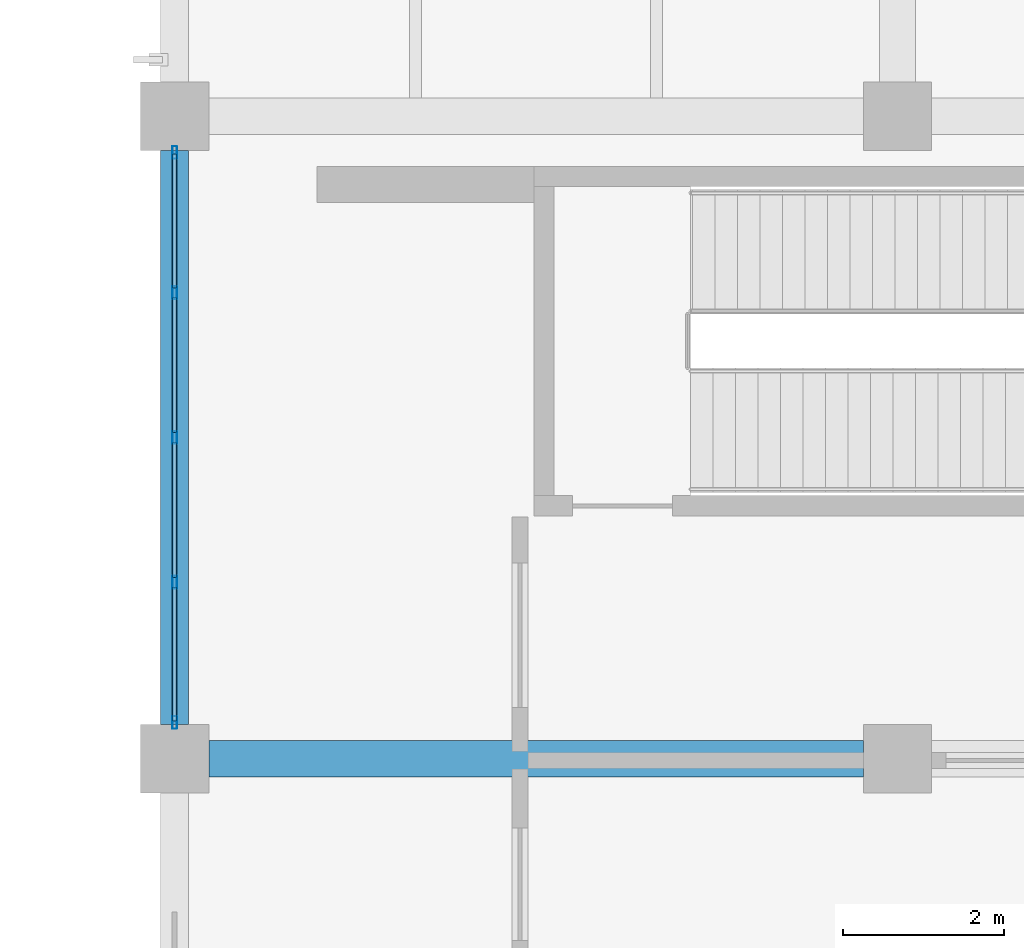
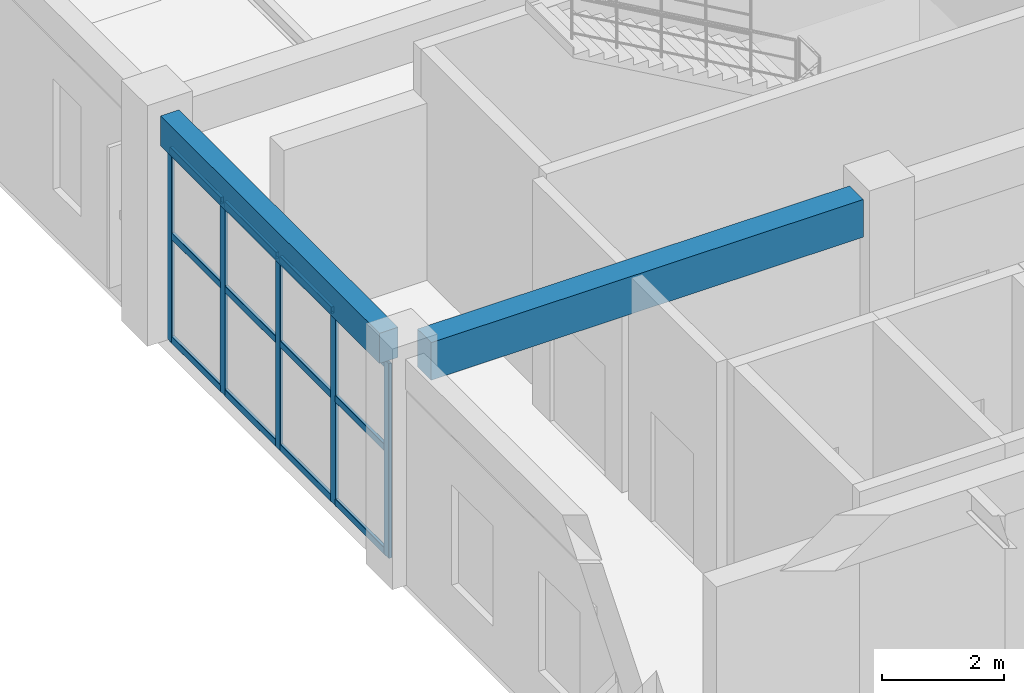
# One storey, part 122 of 178: 17 members, 2 beams, 1 element without a shape of its own.
"""IFC4 building model written with IfcOpenShell, lengths in metres."""

from ifc_helpers import new_model, si_unit, derived_unit, direction, frame, origin, origin_2d, place, context, subcontext, project, spatial, rectangle, hollow_rectangle, extrude, material, material_profile, profile_set, type_object, element, aggregate, save


model = new_model("IFC4")

# Units and contexts
model_context = context("Model", 3, precision=1e-05, world=origin(), true_north=direction((0.0, 1.0)))
body_context = subcontext(model_context, "Body", "Model", "MODEL_VIEW")
ifc_project = project(units=[si_unit("LENGTHUNIT", "METRE"), si_unit("AREAUNIT", "SQUARE_METRE"), si_unit("VOLUMEUNIT", "CUBIC_METRE"), si_unit("PLANEANGLEUNIT", "RADIAN"), si_unit("MASSUNIT", "GRAM", prefix="KILO"), derived_unit("THERMALTRANSMITTANCEUNIT", [(si_unit("MASSUNIT", "GRAM", prefix="KILO"), 1), (si_unit("TIMEUNIT", "SECOND"), -3), (si_unit("THERMODYNAMICTEMPERATUREUNIT", "KELVIN"), -1)])], contexts=[model_context])

# Site, building, storey
site_placement = place(None, origin())
site = spatial("IfcSite", under=ifc_project, at=site_placement, CompositionType="ELEMENT")
building_placement = place(site_placement, origin())
building = spatial("IfcBuilding", under=site, at=building_placement, Name="Zhenchuan Archway Interchange", CompositionType="ELEMENT")
storey_placement = place(building_placement, frame((0.0, 0.0, 5.39990234375)))
storey = spatial("IfcBuildingStorey", under=building, at=storey_placement, Name="L01", CompositionType="ELEMENT", Elevation=5.39990234375)

# Beam
ifc_material_1 = material(Name="Concrete C40", Category="concrete")
ifc_material_profile_1 = material_profile(ifc_material_1, rectangle(XDim=0.449951171875, YDim=0.75, at=origin_2d()), Name="RC 450x750")
ifc_profile_set_1 = profile_set([ifc_material_profile_1], Name="Concrete C40")
beam_type_1 = type_object("IfcBeamType", Name="BM_RC_450x750", PredefinedType="BEAM", material=ifc_profile_set_1)
beam_1_placement = place(storey_placement, frame((144.425048828125, 56.0, 4.135009765625), z_axis=(1.0, 0.0, 0.0), x_axis=(0.0, 1.0, 0.0)))
element("IfcBeam", 1, at=beam_1_placement, inside=storey, type_object=beam_type_1, Name="Beam H:17-18 (L01)", PredefinedType="BEAM", context=body_context, shape_type="SweptSolid", body=[
    extrude(rectangle(XDim=0.449951171875, YDim=0.75, at=origin_2d()), origin(), (0.0, 0.0, 1.0), 8.14990234375),
])

# Curtain wall, members
ifc_material_2 = material(Name="Anodised Aluminium", Category="aluminium")
curtain_wall_type = type_object("IfcCurtainWallType", Name="CW_UNIT_3", PredefinedType="NOTDEFINED", material=ifc_material_2)
curtain_wall_placement = place(storey_placement, origin())
curtain_wall = element("IfcCurtainWall", 2, at=curtain_wall_placement, inside=storey, type_object=curtain_wall_type, Name="Unitised curtain wall CW:L01:094", PredefinedType="NOTDEFINED")
ifc_material_profile_2 = material_profile(ifc_material_2, hollow_rectangle(XDim=0.06005859375, YDim=0.159912109375, WallThickness=0.00390625, InnerFilletRadius=0.00390625, OuterFilletRadius=0.008056640625, at=origin_2d()), Name="ALU 160x60x4")
ifc_profile_set_2 = profile_set([ifc_material_profile_2], Name="Anodised Aluminium")
member_type_1 = type_object("IfcMemberType", Name="CW_MUL_150", PredefinedType="MULLION", material=ifc_profile_set_2)
member_1_placement = place(storey_placement, frame((144.0, 56.452880859375, 0.0), z_axis=(0.0, 0.0, 1.0), x_axis=(1.0, 0.0, 0.0)))
member_1 = element("IfcMember", 3, at=member_1_placement, type_object=member_type_1, Name="CW:L01:094 mullion 0", PredefinedType="MULLION", context=body_context, shape_type="SweptSolid", body=[
    extrude(hollow_rectangle(XDim=0.06005859375, YDim=0.159912109375, WallThickness=0.00390625, InnerFilletRadius=0.00390625, OuterFilletRadius=0.008056640625, at=origin_2d()), origin(), (0.0, 0.0, 1.0), 3.880126953125),
])
member_2_placement = place(storey_placement, frame((144.0, 58.196533203125, 0.0), z_axis=(0.0, 0.0, 1.0), x_axis=(1.0, 0.0, 0.0)))
member_2 = element("IfcMember", 4, at=member_2_placement, type_object=member_type_1, Name="CW:L01:094 mullion 1", PredefinedType="MULLION", context=body_context, shape_type="SweptSolid", body=[
    extrude(hollow_rectangle(XDim=0.06005859375, YDim=0.159912109375, WallThickness=0.00390625, InnerFilletRadius=0.00390625, OuterFilletRadius=0.008056640625, at=origin_2d()), origin(), (0.0, 0.0, 1.0), 3.880126953125),
])
member_3_placement = place(storey_placement, frame((144.0, 60.0, 0.0), z_axis=(0.0, 0.0, 1.0), x_axis=(1.0, 0.0, 0.0)))
member_3 = element("IfcMember", 5, at=member_3_placement, type_object=member_type_1, Name="CW:L01:094 mullion 2", PredefinedType="MULLION", context=body_context, shape_type="SweptSolid", body=[
    extrude(hollow_rectangle(XDim=0.06005859375, YDim=0.159912109375, WallThickness=0.00390625, InnerFilletRadius=0.00390625, OuterFilletRadius=0.008056640625, at=origin_2d()), origin(), (0.0, 0.0, 1.0), 3.880126953125),
])
member_4_placement = place(storey_placement, frame((144.0, 61.803466796875, 0.0), z_axis=(0.0, 0.0, 1.0), x_axis=(1.0, 0.0, 0.0)))
member_4 = element("IfcMember", 6, at=member_4_placement, type_object=member_type_1, Name="CW:L01:094 mullion 3", PredefinedType="MULLION", context=body_context, shape_type="SweptSolid", body=[
    extrude(hollow_rectangle(XDim=0.06005859375, YDim=0.159912109375, WallThickness=0.00390625, InnerFilletRadius=0.00390625, OuterFilletRadius=0.008056640625, at=origin_2d()), origin(), (0.0, 0.0, 1.0), 3.880126953125),
])
member_5_placement = place(storey_placement, frame((144.0, 63.547119140625, 0.0), z_axis=(0.0, 0.0, 1.0), x_axis=(1.0, 0.0, 0.0)))
member_5 = element("IfcMember", 7, at=member_5_placement, type_object=member_type_1, Name="CW:L01:094 mullion 4", PredefinedType="MULLION", context=body_context, shape_type="SweptSolid", body=[
    extrude(hollow_rectangle(XDim=0.06005859375, YDim=0.159912109375, WallThickness=0.00390625, InnerFilletRadius=0.00390625, OuterFilletRadius=0.008056640625, at=origin_2d()), origin(), (0.0, 0.0, 1.0), 3.880126953125),
])
ifc_material_profile_3 = material_profile(ifc_material_2, hollow_rectangle(XDim=0.06005859375, YDim=0.139892578125, WallThickness=0.00341796875, InnerFilletRadius=0.00341796875, OuterFilletRadius=0.007080078125, at=origin_2d()), Name="ALU 140x60x3.5")
ifc_profile_set_3 = profile_set([ifc_material_profile_3], Name="Anodised Aluminium")
member_type_2 = type_object("IfcMemberType", Name="CW_TRN_140", PredefinedType="USERDEFINED", material=ifc_profile_set_3)
member_6_placement = place(storey_placement, frame((144.0, 56.472900390625, 0.06005859375), z_axis=(0.0, 1.0, 0.0), x_axis=(-1.0, 0.0, 0.0)))
member_6 = element("IfcMember", 8, at=member_6_placement, type_object=member_type_2, Name="CW:L01:094 transom 0-1", ObjectType="TRANSOM", PredefinedType="USERDEFINED", context=body_context, shape_type="SweptSolid", body=[
    extrude(hollow_rectangle(XDim=0.06005859375, YDim=0.139892578125, WallThickness=0.00341796875, InnerFilletRadius=0.00341796875, OuterFilletRadius=0.007080078125, at=origin_2d()), origin(), (0.0, 0.0, 1.0), 1.66357421875),
])
member_7_placement = place(storey_placement, frame((144.0, 56.472900390625, 2.123046875), z_axis=(0.0, 1.0, 0.0), x_axis=(-1.0, 0.0, 0.0)))
member_7 = element("IfcMember", 9, at=member_7_placement, type_object=member_type_2, Name="CW:L01:094 transom 0-2", ObjectType="TRANSOM", PredefinedType="USERDEFINED", context=body_context, shape_type="SweptSolid", body=[
    extrude(hollow_rectangle(XDim=0.06005859375, YDim=0.139892578125, WallThickness=0.00341796875, InnerFilletRadius=0.00341796875, OuterFilletRadius=0.007080078125, at=origin_2d()), origin(), (0.0, 0.0, 1.0), 1.66357421875),
])
member_8_placement = place(storey_placement, frame((144.0, 56.472900390625, 3.800048828125), z_axis=(0.0, 1.0, 0.0), x_axis=(-1.0, 0.0, 0.0)))
member_8 = element("IfcMember", 10, at=member_8_placement, type_object=member_type_2, Name="CW:L01:094 transom 0-3", ObjectType="TRANSOM", PredefinedType="USERDEFINED", context=body_context, shape_type="SweptSolid", body=[
    extrude(hollow_rectangle(XDim=0.06005859375, YDim=0.139892578125, WallThickness=0.00341796875, InnerFilletRadius=0.00341796875, OuterFilletRadius=0.007080078125, at=origin_2d()), origin(), (0.0, 0.0, 1.0), 1.66357421875),
])
member_9_placement = place(storey_placement, frame((144.0, 58.256591796875, 0.06005859375), z_axis=(0.0, 1.0, 0.0), x_axis=(-1.0, 0.0, 0.0)))
member_9 = element("IfcMember", 11, at=member_9_placement, type_object=member_type_2, Name="CW:L01:094 transom 1-1", ObjectType="TRANSOM", PredefinedType="USERDEFINED", context=body_context, shape_type="SweptSolid", body=[
    extrude(hollow_rectangle(XDim=0.06005859375, YDim=0.139892578125, WallThickness=0.00341796875, InnerFilletRadius=0.00341796875, OuterFilletRadius=0.007080078125, at=origin_2d()), origin(), (0.0, 0.0, 1.0), 1.683349609375),
])
member_10_placement = place(storey_placement, frame((144.0, 58.256591796875, 2.123046875), z_axis=(0.0, 1.0, 0.0), x_axis=(-1.0, 0.0, 0.0)))
member_10 = element("IfcMember", 12, at=member_10_placement, type_object=member_type_2, Name="CW:L01:094 transom 1-2", ObjectType="TRANSOM", PredefinedType="USERDEFINED", context=body_context, shape_type="SweptSolid", body=[
    extrude(hollow_rectangle(XDim=0.06005859375, YDim=0.139892578125, WallThickness=0.00341796875, InnerFilletRadius=0.00341796875, OuterFilletRadius=0.007080078125, at=origin_2d()), origin(), (0.0, 0.0, 1.0), 1.683349609375),
])
member_11_placement = place(storey_placement, frame((144.0, 58.256591796875, 3.800048828125), z_axis=(0.0, 1.0, 0.0), x_axis=(-1.0, 0.0, 0.0)))
member_11 = element("IfcMember", 13, at=member_11_placement, type_object=member_type_2, Name="CW:L01:094 transom 1-3", ObjectType="TRANSOM", PredefinedType="USERDEFINED", context=body_context, shape_type="SweptSolid", body=[
    extrude(hollow_rectangle(XDim=0.06005859375, YDim=0.139892578125, WallThickness=0.00341796875, InnerFilletRadius=0.00341796875, OuterFilletRadius=0.007080078125, at=origin_2d()), origin(), (0.0, 0.0, 1.0), 1.683349609375),
])
member_12_placement = place(storey_placement, frame((144.0, 60.06005859375, 0.06005859375), z_axis=(0.0, 1.0, 0.0), x_axis=(-1.0, 0.0, 0.0)))
member_12 = element("IfcMember", 14, at=member_12_placement, type_object=member_type_2, Name="CW:L01:094 transom 2-1", ObjectType="TRANSOM", PredefinedType="USERDEFINED", context=body_context, shape_type="SweptSolid", body=[
    extrude(hollow_rectangle(XDim=0.06005859375, YDim=0.139892578125, WallThickness=0.00341796875, InnerFilletRadius=0.00341796875, OuterFilletRadius=0.007080078125, at=origin_2d()), origin(), (0.0, 0.0, 1.0), 1.683349609375),
])
member_13_placement = place(storey_placement, frame((144.0, 60.06005859375, 2.123046875), z_axis=(0.0, 1.0, 0.0), x_axis=(-1.0, 0.0, 0.0)))
member_13 = element("IfcMember", 15, at=member_13_placement, type_object=member_type_2, Name="CW:L01:094 transom 2-2", ObjectType="TRANSOM", PredefinedType="USERDEFINED", context=body_context, shape_type="SweptSolid", body=[
    extrude(hollow_rectangle(XDim=0.06005859375, YDim=0.139892578125, WallThickness=0.00341796875, InnerFilletRadius=0.00341796875, OuterFilletRadius=0.007080078125, at=origin_2d()), origin(), (0.0, 0.0, 1.0), 1.683349609375),
])
member_14_placement = place(storey_placement, frame((144.0, 60.06005859375, 3.800048828125), z_axis=(0.0, 1.0, 0.0), x_axis=(-1.0, 0.0, 0.0)))
member_14 = element("IfcMember", 16, at=member_14_placement, type_object=member_type_2, Name="CW:L01:094 transom 2-3", ObjectType="TRANSOM", PredefinedType="USERDEFINED", context=body_context, shape_type="SweptSolid", body=[
    extrude(hollow_rectangle(XDim=0.06005859375, YDim=0.139892578125, WallThickness=0.00341796875, InnerFilletRadius=0.00341796875, OuterFilletRadius=0.007080078125, at=origin_2d()), origin(), (0.0, 0.0, 1.0), 1.683349609375),
])
member_15_placement = place(storey_placement, frame((144.0, 61.863525390625, 0.06005859375), z_axis=(0.0, 1.0, 0.0), x_axis=(-1.0, 0.0, 0.0)))
member_15 = element("IfcMember", 17, at=member_15_placement, type_object=member_type_2, Name="CW:L01:094 transom 3-1", ObjectType="TRANSOM", PredefinedType="USERDEFINED", context=body_context, shape_type="SweptSolid", body=[
    extrude(hollow_rectangle(XDim=0.06005859375, YDim=0.139892578125, WallThickness=0.00341796875, InnerFilletRadius=0.00341796875, OuterFilletRadius=0.007080078125, at=origin_2d()), origin(), (0.0, 0.0, 1.0), 1.66357421875),
])
member_16_placement = place(storey_placement, frame((144.0, 61.863525390625, 2.123046875), z_axis=(0.0, 1.0, 0.0), x_axis=(-1.0, 0.0, 0.0)))
member_16 = element("IfcMember", 18, at=member_16_placement, type_object=member_type_2, Name="CW:L01:094 transom 3-2", ObjectType="TRANSOM", PredefinedType="USERDEFINED", context=body_context, shape_type="SweptSolid", body=[
    extrude(hollow_rectangle(XDim=0.06005859375, YDim=0.139892578125, WallThickness=0.00341796875, InnerFilletRadius=0.00341796875, OuterFilletRadius=0.007080078125, at=origin_2d()), origin(), (0.0, 0.0, 1.0), 1.66357421875),
])
member_17_placement = place(storey_placement, frame((144.0, 61.863525390625, 3.800048828125), z_axis=(0.0, 1.0, 0.0), x_axis=(-1.0, 0.0, 0.0)))
member_17 = element("IfcMember", 19, at=member_17_placement, type_object=member_type_2, Name="CW:L01:094 transom 3-3", ObjectType="TRANSOM", PredefinedType="USERDEFINED", context=body_context, shape_type="SweptSolid", body=[
    extrude(hollow_rectangle(XDim=0.06005859375, YDim=0.139892578125, WallThickness=0.00341796875, InnerFilletRadius=0.00341796875, OuterFilletRadius=0.007080078125, at=origin_2d()), origin(), (0.0, 0.0, 1.0), 1.66357421875),
])
aggregate(curtain_wall, [member_1, member_2, member_3, member_4, member_5, member_6, member_7, member_8, member_9, member_10, member_11, member_12, member_13, member_14, member_15, member_16, member_17])

# Beam
ifc_material_profile_4 = material_profile(ifc_material_1, rectangle(XDim=0.35009765625, YDim=0.60009765625, at=origin_2d()), Name="RC 350x600")
ifc_profile_set_4 = profile_set([ifc_material_profile_4], Name="Concrete C40")
beam_type_2 = type_object("IfcBeamType", Name="SP_RC_350x600", PredefinedType="SPANDREL", material=ifc_profile_set_4)
beam_2_placement = place(storey_placement, frame((144.0, 56.425048828125, 4.210205078125), z_axis=(0.0, 1.0, 0.0), x_axis=(-1.0, 0.0, 0.0)))
element("IfcBeam", 20, at=beam_2_placement, inside=storey, type_object=beam_type_2, Name="Beam 17:H-J (L01)", PredefinedType="SPANDREL", context=body_context, shape_type="SweptSolid", body=[
    extrude(rectangle(XDim=0.35009765625, YDim=0.60009765625, at=origin_2d()), origin(), (0.0, 0.0, 1.0), 7.14990234375),
])

save(model, "model.ifc")
